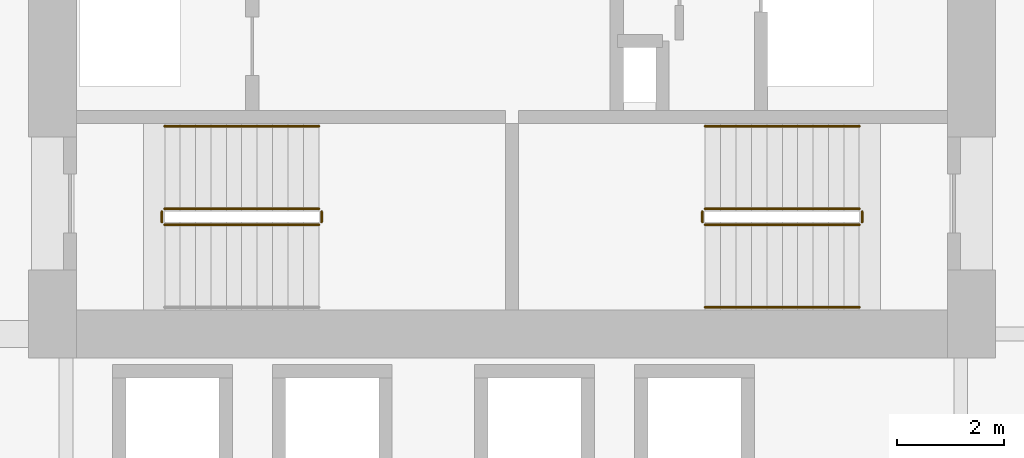
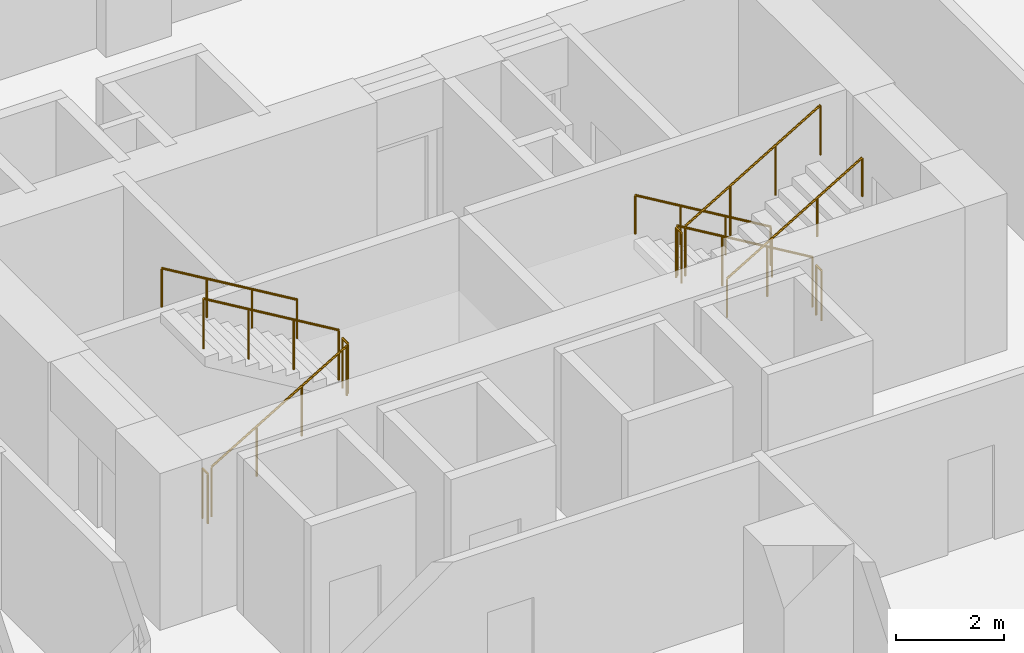
# One storey, part 20 of 22: 11 railings.
"""IFC4 building model written with IfcOpenShell, lengths in metres."""

import ifcopenshell
import ifcopenshell.guid

model = None  # the IFC model being written
_history = None  # IfcOwnerHistory: only IFC2X3 demands one
_inside = {}  # id of a spatial element -> (the spatial element, [elements in it])
_under = {}  # id of a project, library or spatial element -> (it, [spatial elements below it])
_declared = {}  # id of a project -> (the project, [libraries it declares])
_typed = {}  # id of a type object -> (the type object, [elements of that type])
_made_of = {}  # id of a material, layer set ... -> (it, [elements and type objects made of it])


def new_model(schema):
    """Start an empty IFC model of exactly this schema.

    Asked for "IFC4X3", IfcOpenShell would pick the latest addendum, in which some entities
    have other attributes; the version numbers below select the first issue.
    IFC2X3 requires an IfcOwnerHistory on every rooted entity: one is made here for all.
    """
    global model, _history
    if schema == "IFC4X3":
        model = ifcopenshell.file(schema_version=(4, 3, 0, 0))
    else:
        model = ifcopenshell.file(schema=schema)
    _inside.clear()
    _under.clear()
    _declared.clear()
    _typed.clear()
    _made_of.clear()
    _history = None
    if model.schema == "IFC2X3":
        org = make("IfcOrganization", Name="unknown")
        user = make(
            "IfcPersonAndOrganization",
            ThePerson=make("IfcPerson", FamilyName="unknown"),
            TheOrganization=org,
        )
        app = make(
            "IfcApplication",
            ApplicationDeveloper=org,
            Version="unknown",
            ApplicationFullName="unknown",
            ApplicationIdentifier="unknown",
        )
        _history = make(
            "IfcOwnerHistory",
            OwningUser=user,
            OwningApplication=app,
            ChangeAction="ADDED",
            CreationDate=0,
        )
    return model


def make(cls, **values):
    """One entity of the class cls with the attributes given. An attribute that is None is left unset."""
    return model.create_entity(
        cls, **{name: value for name, value in values.items() if value is not None}
    )


def rooted(cls, **values):
    """An entity with a GlobalId (a new one), such as an element, a storey or a relation."""
    return make(cls, GlobalId=ifcopenshell.guid.new(), OwnerHistory=_history, **values)


def si_unit(unit_type, name, prefix=None):
    """IfcSIUnit, for example si_unit("LENGTHUNIT", "METRE", prefix="MILLI")."""
    return make("IfcSIUnit", UnitType=unit_type, Prefix=prefix, Name=name)


def assignment(units):
    """IfcUnitAssignment: the units of a project."""
    return None if units is None else make("IfcUnitAssignment", Units=units)


def point(xyz):
    """IfcCartesianPoint."""
    return None if xyz is None else make("IfcCartesianPoint", Coordinates=xyz)


def direction(xyz):
    """IfcDirection."""
    return None if xyz is None else make("IfcDirection", DirectionRatios=xyz)


def frame(location, z_axis=None, x_axis=None):
    """IfcAxis2Placement3D, a coordinate frame: its origin and axes. An axis left out is left unset."""
    return make(
        "IfcAxis2Placement3D",
        Location=point(location),
        Axis=direction(z_axis),
        RefDirection=direction(x_axis),
    )


def frame_2d(location, x_axis=None):
    """IfcAxis2Placement2D, a coordinate frame in the plane: its origin and x axis."""
    return make(
        "IfcAxis2Placement2D", Location=point(location), RefDirection=direction(x_axis)
    )


def origin():
    """The frame at (0, 0, 0) with its axes left unset."""
    return frame((0.0, 0.0, 0.0))


def origin_2d():
    """The frame at (0, 0) in the plane with its x axis left unset."""
    return frame_2d((0.0, 0.0))


def place(relative_to, where):
    """IfcLocalPlacement: puts the frame where relative to a parent placement (None: the world)."""
    return make(
        "IfcLocalPlacement", PlacementRelTo=relative_to, RelativePlacement=where
    )


def context(
    kind, dimensions, precision=None, world=None, true_north=None, identifier=None
):
    """IfcGeometricRepresentationContext, for example the 3D "Model" context."""
    return make(
        "IfcGeometricRepresentationContext",
        ContextIdentifier=identifier,
        ContextType=kind,
        CoordinateSpaceDimension=dimensions,
        Precision=precision,
        WorldCoordinateSystem=world,
        TrueNorth=true_north,
    )


def subcontext(parent, identifier, kind, view, scale=None):
    """IfcGeometricRepresentationSubContext, for example "Body" below "Model"."""
    return make(
        "IfcGeometricRepresentationSubContext",
        ContextIdentifier=identifier,
        ContextType=kind,
        ParentContext=parent,
        TargetScale=scale,
        TargetView=view,
    )


def project(units=None, contexts=None):
    """IfcProject with its units and contexts."""
    return rooted(
        "IfcProject",
        Name="project",
        RepresentationContexts=contexts,
        UnitsInContext=assignment(units),
    )


def spatial(cls, under=None, at=None, **own):
    """A site, building, storey or space (cls), placed at a placement, below another one or the project."""
    s = rooted(cls, ObjectPlacement=at, **own)
    if under is not None:
        _under.setdefault(under.id(), (under, []))[1].append(s)
    return s


def profile(cls, at=None, kind="AREA", **sizes):
    """A parametric profile (cls). Its sizes go by their IFC names, for example OverallWidth=200.0."""
    return make(cls, ProfileType=kind, Position=at, **sizes)


def circle(**sizes):
    """IfcCircleProfileDef."""
    return profile("IfcCircleProfileDef", **sizes)


def extrude(swept, where, along, depth):
    """IfcExtrudedAreaSolid: the profile swept, set in the frame where, extruded along a direction by depth."""
    return make(
        "IfcExtrudedAreaSolid",
        SweptArea=swept,
        Position=where,
        ExtrudedDirection=direction(along),
        Depth=depth,
    )


def shape(context_of_items, identifier, shape_type, items):
    """IfcShapeRepresentation: the items that make up one representation, for example the "Body"."""
    return make(
        "IfcShapeRepresentation",
        ContextOfItems=context_of_items,
        RepresentationIdentifier=identifier,
        RepresentationType=shape_type,
        Items=items,
    )


def material(Name=None, Category=None):
    """IfcMaterial."""
    return make("IfcMaterial", Name=Name, Category=Category)


def made_of(thing, what):
    """Note that an element or type object is made of a material, layer set ...; save() writes the relation."""
    if what is not None:
        _made_of.setdefault(what.id(), (what, []))[1].append(thing)
    return thing


def type_object(cls, material=None, **own):
    """A type object (cls), such as IfcWallType, which elements share."""
    return made_of(rooted(cls, **own), material)


def element(
    cls,
    number,
    at=None,
    inside=None,
    cuts=None,
    type_object=None,
    material=None,
    context=None,
    identifier="Body",
    shape_type=None,
    held_by="IfcProductDefinitionShape",
    body=None,
    shapes=None,
    **own,
):
    """One element of the class cls, such as IfcWall. Its Tag is "e" and its number.

    at: its placement. inside: the storey or other place that contains it. cuts: it is an
    opening in that element (IfcRelVoidsElement). A single representation is given by context,
    identifier, shape_type and body (its items); several are given by shapes. held_by: the class
    of the entity that holds the representations. save() writes the other relations.
    """
    e = rooted(cls, Tag="e%d" % number, ObjectPlacement=at, **own)
    if body is not None:
        shapes = [shape(context, identifier, shape_type, body)]
    if shapes is not None:
        e.Representation = make(held_by, Representations=shapes)
    if inside is not None:
        _inside.setdefault(inside.id(), (inside, []))[1].append(e)
    if cuts is not None:
        rooted(
            "IfcRelVoidsElement", RelatingBuildingElement=cuts, RelatedOpeningElement=e
        )
    if type_object is not None:
        _typed.setdefault(type_object.id(), (type_object, []))[1].append(e)
    return made_of(e, material)


def aggregate(whole, parts):
    """IfcRelAggregates: a whole, such as a stair, and the parts it consists of."""
    return rooted("IfcRelAggregates", RelatingObject=whole, RelatedObjects=parts)


def save(model, path):
    """Write the relations noted so far, then the file.

    IfcRelAggregates (storeys below a building ...), IfcRelContainedInSpatialStructure (elements
    in a storey), IfcRelDefinesByType, IfcRelAssociatesMaterial and IfcRelDeclares: one each for
    every whole, place, type object, material and project.
    """
    for whole, parts in _under.values():
        aggregate(whole, parts)
    for where, things in _inside.values():
        rooted(
            "IfcRelContainedInSpatialStructure",
            RelatedElements=things,
            RelatingStructure=where,
        )
    for kind, things in _typed.values():
        rooted("IfcRelDefinesByType", RelatedObjects=things, RelatingType=kind)
    for what, things in _made_of.values():
        rooted("IfcRelAssociatesMaterial", RelatedObjects=things, RelatingMaterial=what)
    for by, libraries in _declared.values():
        rooted("IfcRelDeclares", RelatingContext=by, RelatedDefinitions=libraries)
    model.write(path)


model = new_model("IFC4")

# Units and contexts
model_context = context("Model", 3, precision=1e-05, world=origin(), true_north=direction((0.0, 1.0)))
body_context = subcontext(model_context, "Body", "Model", "MODEL_VIEW")
ifc_project = project(units=[si_unit("LENGTHUNIT", "METRE"), si_unit("AREAUNIT", "SQUARE_METRE"), si_unit("VOLUMEUNIT", "CUBIC_METRE"), si_unit("PLANEANGLEUNIT", "RADIAN"), si_unit("MASSUNIT", "GRAM", prefix="KILO")], contexts=[model_context])

# Site, building, storey
site_placement = place(None, origin())
site = spatial("IfcSite", under=ifc_project, at=site_placement, CompositionType="ELEMENT")
building_placement = place(site_placement, origin())
building = spatial("IfcBuilding", under=site, at=building_placement, Name="Koriwani Terraces Tower", CompositionType="ELEMENT")
storey_placement = place(building_placement, frame((0.0, 0.0, 43.39990234375)))
storey = spatial("IfcBuildingStorey", under=building, at=storey_placement, Name="L09", CompositionType="ELEMENT", Elevation=43.39990234375)

# Railings
ifc_material = material(Name="Steel ASTM A572 Grade 50", Category="steel")
railing_type_1 = type_object("IfcRailingType", Name="GUARD_STAIR_WELL_1120", PredefinedType="GUARDRAIL", material=ifc_material)
railing_1_placement = place(storey_placement, frame((43.85009765625, 18.85009765625, 0.1728515625)))
element("IfcRailing", 1, at=railing_1_placement, inside=storey, type_object=railing_type_1, Name="L09 ST-E1 stair guard 1", PredefinedType="GUARDRAIL", context=body_context, shape_type="SweptSolid", body=[
    extrude(circle(Radius=0.02392578125, at=origin_2d()), frame((0.0, 0.0, 1.1259765625), z_axis=(0.859141464434, 0.0, 0.511738159696), x_axis=(0.0, 1.0, 0.0)), (0.0, 0.0, 1.0), 3.375244140625),
    extrude(circle(Radius=0.02099609375, at=origin_2d()), origin(), (0.0, 0.0, 1.0), 1.101806640625),
    extrude(circle(Radius=0.02099609375, at=origin_2d()), frame((0.966552734375, 0.0, 0.57568359375)), (0.0, 0.0, 1.0), 1.101806640625),
    extrude(circle(Radius=0.02099609375, at=origin_2d()), frame((1.933349609375, 0.0, 1.151611328125)), (0.0, 0.0, 1.0), 1.101806640625),
    extrude(circle(Radius=0.02099609375, at=origin_2d()), frame((2.89990234375, 0.0, 1.727294921875)), (0.0, 0.0, 1.0), 1.101806640625),
])
railing_2_placement = place(storey_placement, frame((46.800048828125, 18.89990234375, 1.900146484375)))
element("IfcRailing", 2, at=railing_2_placement, inside=storey, type_object=railing_type_1, Name="L09 ST-E1 stair guard 2", PredefinedType="GUARDRAIL", context=body_context, shape_type="SweptSolid", body=[
    extrude(circle(Radius=0.02392578125, at=origin_2d()), frame((0.0, 0.0, 1.1259765625), z_axis=(0.0, 1.0, 0.0), x_axis=(-1.0, 0.0, 0.0)), (0.0, 0.0, 1.0), 0.2001953125),
    extrude(circle(Radius=0.02099609375, at=origin_2d()), origin(), (0.0, 0.0, 1.0), 1.101806640625),
    extrude(circle(Radius=0.02099609375, at=origin_2d()), frame((0.0, 0.2001953125, 0.0)), (0.0, 0.0, 1.0), 1.101806640625),
])
railing_3_placement = place(storey_placement, frame((46.75, 19.14990234375, 2.07275390625)))
element("IfcRailing", 3, at=railing_3_placement, inside=storey, type_object=railing_type_1, Name="L09 ST-E1 stair guard 3", PredefinedType="GUARDRAIL", context=body_context, shape_type="SweptSolid", body=[
    extrude(circle(Radius=0.02392578125, at=origin_2d()), frame((0.0, 0.0, 1.1259765625), z_axis=(-0.859141464434, 0.0, 0.511738159696), x_axis=(0.0, -1.0, 0.0)), (0.0, 0.0, 1.0), 3.375244140625),
    extrude(circle(Radius=0.02099609375, at=origin_2d()), origin(), (0.0, 0.0, 1.0), 1.101806640625),
    extrude(circle(Radius=0.02099609375, at=origin_2d()), frame((-0.966552734375, 0.0, 0.57568359375)), (0.0, 0.0, 1.0), 1.101806640625),
    extrude(circle(Radius=0.02099609375, at=origin_2d()), frame((-1.933349609375, 0.0, 1.151611328125)), (0.0, 0.0, 1.0), 1.101806640625),
    extrude(circle(Radius=0.02099609375, at=origin_2d()), frame((-2.89990234375, 0.0, 1.727294921875)), (0.0, 0.0, 1.0), 1.101806640625),
])
railing_4_placement = place(storey_placement, frame((43.800048828125, 18.89990234375, 0.0)))
element("IfcRailing", 4, at=railing_4_placement, inside=storey, type_object=railing_type_1, Name="L09 ST-E1 stair guard 4", PredefinedType="GUARDRAIL", context=body_context, shape_type="SweptSolid", body=[
    extrude(circle(Radius=0.02392578125, at=origin_2d()), frame((0.0, 0.0, 1.1259765625), z_axis=(0.0, 1.0, 0.0), x_axis=(-1.0, 0.0, 0.0)), (0.0, 0.0, 1.0), 0.2001953125),
    extrude(circle(Radius=0.02099609375, at=origin_2d()), origin(), (0.0, 0.0, 1.0), 1.101806640625),
    extrude(circle(Radius=0.02099609375, at=origin_2d()), frame((0.0, 0.2001953125, 0.0)), (0.0, 0.0, 1.0), 1.101806640625),
])
railing_5_placement = place(storey_placement, frame((56.89990234375, 19.14990234375, 0.1728515625)))
element("IfcRailing", 5, at=railing_5_placement, inside=storey, type_object=railing_type_1, Name="L09 ST-E2 stair guard 1", PredefinedType="GUARDRAIL", context=body_context, shape_type="SweptSolid", body=[
    extrude(circle(Radius=0.02392578125, at=origin_2d()), frame((0.0, 0.0, 1.1259765625), z_axis=(-0.859141464434, 0.0, 0.511738159696), x_axis=(0.0, -1.0, 0.0)), (0.0, 0.0, 1.0), 3.375244140625),
    extrude(circle(Radius=0.02099609375, at=origin_2d()), origin(), (0.0, 0.0, 1.0), 1.101806640625),
    extrude(circle(Radius=0.02099609375, at=origin_2d()), frame((-0.966552734375, 0.0, 0.57568359375)), (0.0, 0.0, 1.0), 1.101806640625),
    extrude(circle(Radius=0.02099609375, at=origin_2d()), frame((-1.933349609375, 0.0, 1.151611328125)), (0.0, 0.0, 1.0), 1.101806640625),
    extrude(circle(Radius=0.02099609375, at=origin_2d()), frame((-2.89990234375, 0.0, 1.727294921875)), (0.0, 0.0, 1.0), 1.101806640625),
])
railing_6_placement = place(storey_placement, frame((53.949951171875, 19.10009765625, 1.900146484375)))
element("IfcRailing", 6, at=railing_6_placement, inside=storey, type_object=railing_type_1, Name="L09 ST-E2 stair guard 2", PredefinedType="GUARDRAIL", context=body_context, shape_type="SweptSolid", body=[
    extrude(circle(Radius=0.02392578125, at=origin_2d()), frame((0.0, 0.0, 1.1259765625), z_axis=(0.0, -1.0, 0.0), x_axis=(1.0, 0.0, 0.0)), (0.0, 0.0, 1.0), 0.2001953125),
    extrude(circle(Radius=0.02099609375, at=origin_2d()), origin(), (0.0, 0.0, 1.0), 1.101806640625),
    extrude(circle(Radius=0.02099609375, at=origin_2d()), frame((0.0, -0.2001953125, 0.0)), (0.0, 0.0, 1.0), 1.101806640625),
])
railing_7_placement = place(storey_placement, frame((54.0, 18.85009765625, 2.07275390625)))
element("IfcRailing", 7, at=railing_7_placement, inside=storey, type_object=railing_type_1, Name="L09 ST-E2 stair guard 3", PredefinedType="GUARDRAIL", context=body_context, shape_type="SweptSolid", body=[
    extrude(circle(Radius=0.02392578125, at=origin_2d()), frame((0.0, 0.0, 1.1259765625), z_axis=(0.859141464434, 0.0, 0.511738159696), x_axis=(0.0, 1.0, 0.0)), (0.0, 0.0, 1.0), 3.375244140625),
    extrude(circle(Radius=0.02099609375, at=origin_2d()), origin(), (0.0, 0.0, 1.0), 1.101806640625),
    extrude(circle(Radius=0.02099609375, at=origin_2d()), frame((0.966552734375, 0.0, 0.57568359375)), (0.0, 0.0, 1.0), 1.101806640625),
    extrude(circle(Radius=0.02099609375, at=origin_2d()), frame((1.933349609375, 0.0, 1.151611328125)), (0.0, 0.0, 1.0), 1.101806640625),
    extrude(circle(Radius=0.02099609375, at=origin_2d()), frame((2.89990234375, 0.0, 1.727294921875)), (0.0, 0.0, 1.0), 1.101806640625),
])
railing_8_placement = place(storey_placement, frame((56.949951171875, 19.10009765625, 0.0)))
element("IfcRailing", 8, at=railing_8_placement, inside=storey, type_object=railing_type_1, Name="L09 ST-E2 stair guard 4", PredefinedType="GUARDRAIL", context=body_context, shape_type="SweptSolid", body=[
    extrude(circle(Radius=0.02392578125, at=origin_2d()), frame((0.0, 0.0, 1.1259765625), z_axis=(0.0, -1.0, 0.0), x_axis=(1.0, 0.0, 0.0)), (0.0, 0.0, 1.0), 0.2001953125),
    extrude(circle(Radius=0.02099609375, at=origin_2d()), origin(), (0.0, 0.0, 1.0), 1.101806640625),
    extrude(circle(Radius=0.02099609375, at=origin_2d()), frame((0.0, -0.2001953125, 0.0)), (0.0, 0.0, 1.0), 1.101806640625),
])
railing_type_2 = type_object("IfcRailingType", Name="HANDRAIL_STAIR_920", PredefinedType="HANDRAIL", material=ifc_material)
for number, where, name in (
    (9, (46.75, 20.699951171875, 2.07275390625), "L09 ST-E1 stair handrail 2"),
    (10, (56.89990234375, 20.699951171875, 0.1728515625), "L09 ST-E2 stair handrail 1"),
):
    element("IfcRailing", number, at=place(storey_placement, frame(where)), inside=storey, type_object=railing_type_2, Name=name, PredefinedType="HANDRAIL", context=body_context, shape_type="SweptSolid", body=[
        extrude(circle(Radius=0.02392578125, at=origin_2d()), frame((0.0, 0.0, 0.8759765625), z_axis=(-0.859141464434, 0.0, 0.511738159696), x_axis=(0.0, -1.0, 0.0)), (0.0, 0.0, 1.0), 3.375244140625),
        extrude(circle(Radius=0.02099609375, at=origin_2d()), origin(), (0.0, 0.0, 1.0), 0.851806640625),
        extrude(circle(Radius=0.02099609375, at=origin_2d()), frame((-0.966552734375, 0.0, 0.57568359375)), (0.0, 0.0, 1.0), 0.851806640625),
        extrude(circle(Radius=0.02099609375, at=origin_2d()), frame((-1.933349609375, 0.0, 1.151611328125)), (0.0, 0.0, 1.0), 0.851806640625),
        extrude(circle(Radius=0.02099609375, at=origin_2d()), frame((-2.89990234375, 0.0, 1.727294921875)), (0.0, 0.0, 1.0), 0.851806640625),
    ])
railing_9_placement = place(storey_placement, frame((54.0, 17.300048828125, 2.07275390625)))
element("IfcRailing", 11, at=railing_9_placement, inside=storey, type_object=railing_type_2, Name="L09 ST-E2 stair handrail 2", PredefinedType="HANDRAIL", context=body_context, shape_type="SweptSolid", body=[
    extrude(circle(Radius=0.02392578125, at=origin_2d()), frame((0.0, 0.0, 0.8759765625), z_axis=(0.859141464434, 0.0, 0.511738159696), x_axis=(0.0, 1.0, 0.0)), (0.0, 0.0, 1.0), 3.375244140625),
    extrude(circle(Radius=0.02099609375, at=origin_2d()), origin(), (0.0, 0.0, 1.0), 0.851806640625),
    extrude(circle(Radius=0.02099609375, at=origin_2d()), frame((0.966552734375, 0.0, 0.57568359375)), (0.0, 0.0, 1.0), 0.851806640625),
    extrude(circle(Radius=0.02099609375, at=origin_2d()), frame((1.933349609375, 0.0, 1.151611328125)), (0.0, 0.0, 1.0), 0.851806640625),
    extrude(circle(Radius=0.02099609375, at=origin_2d()), frame((2.89990234375, 0.0, 1.727294921875)), (0.0, 0.0, 1.0), 0.851806640625),
])

save(model, "model.ifc")
